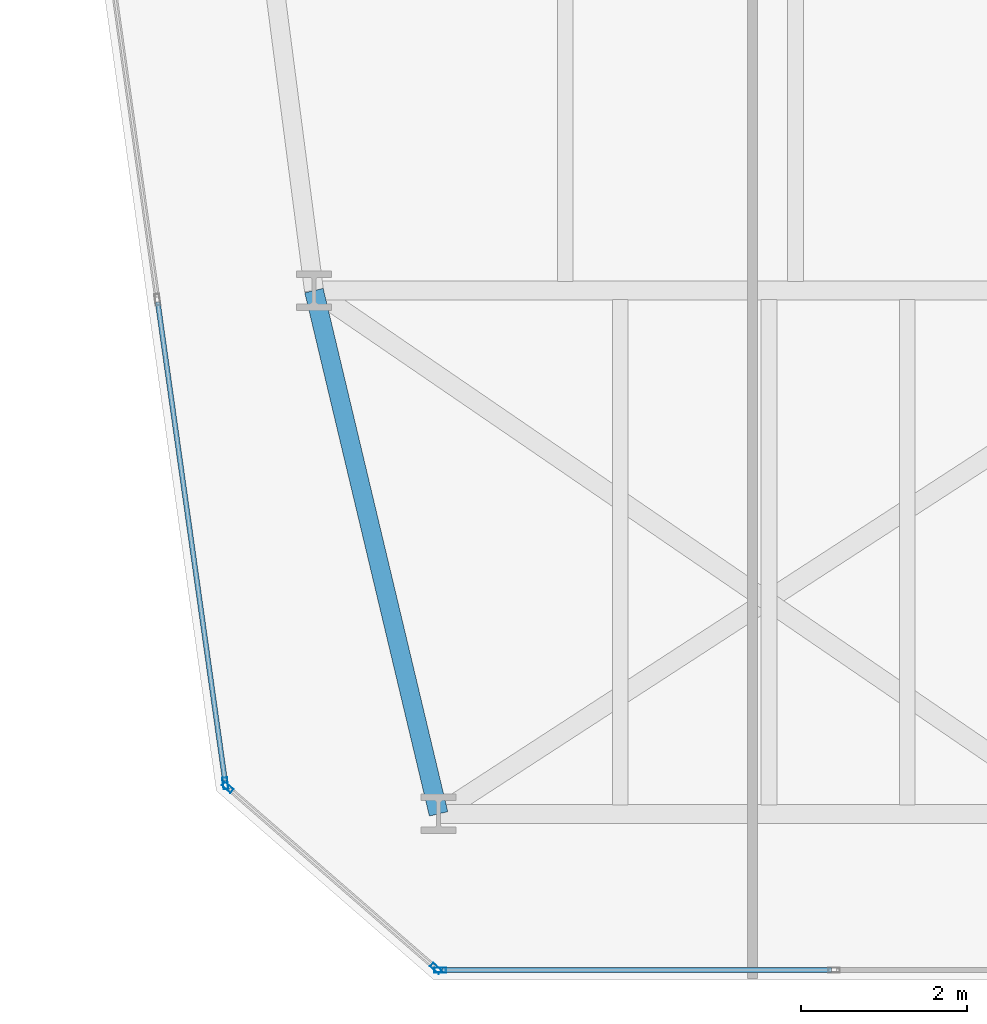
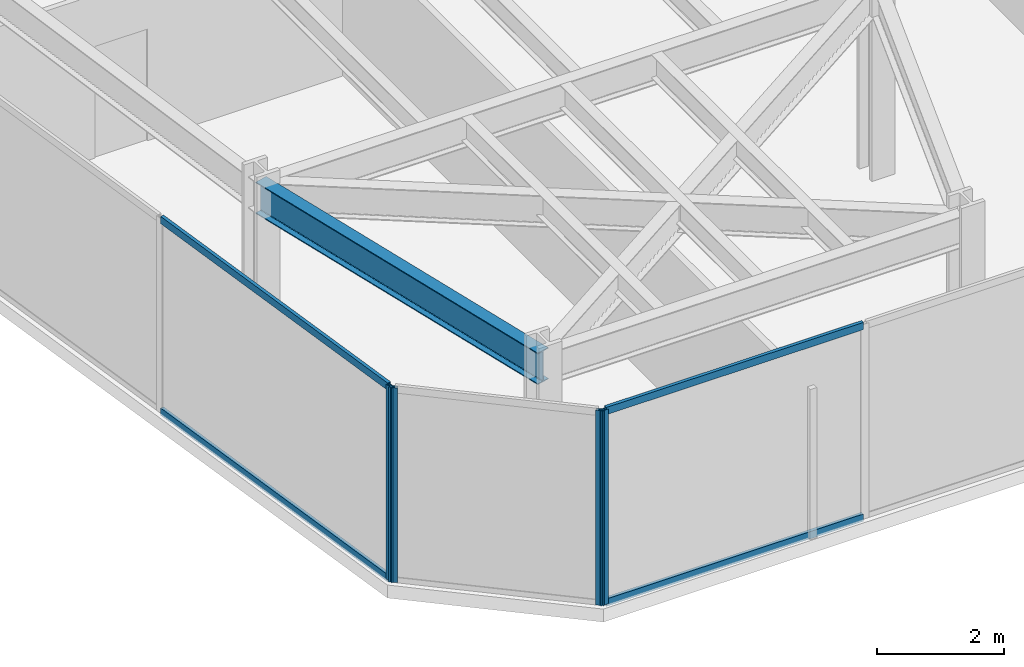
# One storey, part 2 of 26: 8 members, 1 beam, 3 elements without a shape of their own.
"""IFC4 building model written with IfcOpenShell, lengths in metres."""

import ifcopenshell
import ifcopenshell.guid

model = None  # the IFC model being written
_history = None  # IfcOwnerHistory: only IFC2X3 demands one
_inside = {}  # id of a spatial element -> (the spatial element, [elements in it])
_under = {}  # id of a project, library or spatial element -> (it, [spatial elements below it])
_declared = {}  # id of a project -> (the project, [libraries it declares])
_typed = {}  # id of a type object -> (the type object, [elements of that type])
_made_of = {}  # id of a material, layer set ... -> (it, [elements and type objects made of it])


def new_model(schema):
    """Start an empty IFC model of exactly this schema.

    Asked for "IFC4X3", IfcOpenShell would pick the latest addendum, in which some entities
    have other attributes; the version numbers below select the first issue.
    IFC2X3 requires an IfcOwnerHistory on every rooted entity: one is made here for all.
    """
    global model, _history
    if schema == "IFC4X3":
        model = ifcopenshell.file(schema_version=(4, 3, 0, 0))
    else:
        model = ifcopenshell.file(schema=schema)
    _inside.clear()
    _under.clear()
    _declared.clear()
    _typed.clear()
    _made_of.clear()
    _history = None
    if model.schema == "IFC2X3":
        org = make("IfcOrganization", Name="unknown")
        user = make(
            "IfcPersonAndOrganization",
            ThePerson=make("IfcPerson", FamilyName="unknown"),
            TheOrganization=org,
        )
        app = make(
            "IfcApplication",
            ApplicationDeveloper=org,
            Version="unknown",
            ApplicationFullName="unknown",
            ApplicationIdentifier="unknown",
        )
        _history = make(
            "IfcOwnerHistory",
            OwningUser=user,
            OwningApplication=app,
            ChangeAction="ADDED",
            CreationDate=0,
        )
    return model


def make(cls, **values):
    """One entity of the class cls with the attributes given. An attribute that is None is left unset."""
    return model.create_entity(
        cls, **{name: value for name, value in values.items() if value is not None}
    )


def rooted(cls, **values):
    """An entity with a GlobalId (a new one), such as an element, a storey or a relation."""
    return make(cls, GlobalId=ifcopenshell.guid.new(), OwnerHistory=_history, **values)


def si_unit(unit_type, name, prefix=None):
    """IfcSIUnit, for example si_unit("LENGTHUNIT", "METRE", prefix="MILLI")."""
    return make("IfcSIUnit", UnitType=unit_type, Prefix=prefix, Name=name)


def assignment(units):
    """IfcUnitAssignment: the units of a project."""
    return None if units is None else make("IfcUnitAssignment", Units=units)


def point(xyz):
    """IfcCartesianPoint."""
    return None if xyz is None else make("IfcCartesianPoint", Coordinates=xyz)


def direction(xyz):
    """IfcDirection."""
    return None if xyz is None else make("IfcDirection", DirectionRatios=xyz)


def frame(location, z_axis=None, x_axis=None):
    """IfcAxis2Placement3D, a coordinate frame: its origin and axes. An axis left out is left unset."""
    return make(
        "IfcAxis2Placement3D",
        Location=point(location),
        Axis=direction(z_axis),
        RefDirection=direction(x_axis),
    )


def frame_2d(location, x_axis=None):
    """IfcAxis2Placement2D, a coordinate frame in the plane: its origin and x axis."""
    return make(
        "IfcAxis2Placement2D", Location=point(location), RefDirection=direction(x_axis)
    )


def origin():
    """The frame at (0, 0, 0) with its axes left unset."""
    return frame((0.0, 0.0, 0.0))


def origin_2d():
    """The frame at (0, 0) in the plane with its x axis left unset."""
    return frame_2d((0.0, 0.0))


def place(relative_to, where):
    """IfcLocalPlacement: puts the frame where relative to a parent placement (None: the world)."""
    return make(
        "IfcLocalPlacement", PlacementRelTo=relative_to, RelativePlacement=where
    )


def context(
    kind, dimensions, precision=None, world=None, true_north=None, identifier=None
):
    """IfcGeometricRepresentationContext, for example the 3D "Model" context."""
    return make(
        "IfcGeometricRepresentationContext",
        ContextIdentifier=identifier,
        ContextType=kind,
        CoordinateSpaceDimension=dimensions,
        Precision=precision,
        WorldCoordinateSystem=world,
        TrueNorth=true_north,
    )


def subcontext(parent, identifier, kind, view, scale=None):
    """IfcGeometricRepresentationSubContext, for example "Body" below "Model"."""
    return make(
        "IfcGeometricRepresentationSubContext",
        ContextIdentifier=identifier,
        ContextType=kind,
        ParentContext=parent,
        TargetScale=scale,
        TargetView=view,
    )


def project(units=None, contexts=None):
    """IfcProject with its units and contexts."""
    return rooted(
        "IfcProject",
        Name="project",
        RepresentationContexts=contexts,
        UnitsInContext=assignment(units),
    )


def spatial(cls, under=None, at=None, **own):
    """A site, building, storey or space (cls), placed at a placement, below another one or the project."""
    s = rooted(cls, ObjectPlacement=at, **own)
    if under is not None:
        _under.setdefault(under.id(), (under, []))[1].append(s)
    return s


def profile(cls, at=None, kind="AREA", **sizes):
    """A parametric profile (cls). Its sizes go by their IFC names, for example OverallWidth=200.0."""
    return make(cls, ProfileType=kind, Position=at, **sizes)


def hollow_rectangle(**sizes):
    """IfcRectangleHollowProfileDef."""
    return profile("IfcRectangleHollowProfileDef", **sizes)


def i_section(**sizes):
    """IfcIShapeProfileDef."""
    return profile("IfcIShapeProfileDef", **sizes)


def extrude(swept, where, along, depth):
    """IfcExtrudedAreaSolid: the profile swept, set in the frame where, extruded along a direction by depth."""
    return make(
        "IfcExtrudedAreaSolid",
        SweptArea=swept,
        Position=where,
        ExtrudedDirection=direction(along),
        Depth=depth,
    )


def shape(context_of_items, identifier, shape_type, items):
    """IfcShapeRepresentation: the items that make up one representation, for example the "Body"."""
    return make(
        "IfcShapeRepresentation",
        ContextOfItems=context_of_items,
        RepresentationIdentifier=identifier,
        RepresentationType=shape_type,
        Items=items,
    )


def material(Name=None, Category=None):
    """IfcMaterial."""
    return make("IfcMaterial", Name=Name, Category=Category)


def layer(
    of_material, thickness, ventilated=None, Name=None, Category=None, Priority=None
):
    """IfcMaterialLayer: one layer of a wall or slab, of a material (None: an air gap)."""
    return make(
        "IfcMaterialLayer",
        Material=of_material,
        LayerThickness=thickness,
        IsVentilated=ventilated,
        Name=Name,
        Category=Category,
        Priority=Priority,
    )


def layer_set(layers, Name=None):
    """IfcMaterialLayerSet."""
    return make("IfcMaterialLayerSet", MaterialLayers=layers, LayerSetName=Name)


def material_profile(
    of_material, cross_section, Name=None, Category=None, Priority=None
):
    """IfcMaterialProfile: a cross section and its material."""
    return make(
        "IfcMaterialProfile",
        Name=Name,
        Material=of_material,
        Profile=cross_section,
        Priority=Priority,
        Category=Category,
    )


def profile_set(profiles, Name=None, composite=None):
    """IfcMaterialProfileSet."""
    return make(
        "IfcMaterialProfileSet",
        Name=Name,
        MaterialProfiles=profiles,
        CompositeProfile=composite,
    )


def made_of(thing, what):
    """Note that an element or type object is made of a material, layer set ...; save() writes the relation."""
    if what is not None:
        _made_of.setdefault(what.id(), (what, []))[1].append(thing)
    return thing


def type_object(cls, material=None, **own):
    """A type object (cls), such as IfcWallType, which elements share."""
    return made_of(rooted(cls, **own), material)


def element(
    cls,
    number,
    at=None,
    inside=None,
    cuts=None,
    type_object=None,
    material=None,
    context=None,
    identifier="Body",
    shape_type=None,
    held_by="IfcProductDefinitionShape",
    body=None,
    shapes=None,
    **own,
):
    """One element of the class cls, such as IfcWall. Its Tag is "e" and its number.

    at: its placement. inside: the storey or other place that contains it. cuts: it is an
    opening in that element (IfcRelVoidsElement). A single representation is given by context,
    identifier, shape_type and body (its items); several are given by shapes. held_by: the class
    of the entity that holds the representations. save() writes the other relations.
    """
    e = rooted(cls, Tag="e%d" % number, ObjectPlacement=at, **own)
    if body is not None:
        shapes = [shape(context, identifier, shape_type, body)]
    if shapes is not None:
        e.Representation = make(held_by, Representations=shapes)
    if inside is not None:
        _inside.setdefault(inside.id(), (inside, []))[1].append(e)
    if cuts is not None:
        rooted(
            "IfcRelVoidsElement", RelatingBuildingElement=cuts, RelatedOpeningElement=e
        )
    if type_object is not None:
        _typed.setdefault(type_object.id(), (type_object, []))[1].append(e)
    return made_of(e, material)


def aggregate(whole, parts):
    """IfcRelAggregates: a whole, such as a stair, and the parts it consists of."""
    return rooted("IfcRelAggregates", RelatingObject=whole, RelatedObjects=parts)


def save(model, path):
    """Write the relations noted so far, then the file.

    IfcRelAggregates (storeys below a building ...), IfcRelContainedInSpatialStructure (elements
    in a storey), IfcRelDefinesByType, IfcRelAssociatesMaterial and IfcRelDeclares: one each for
    every whole, place, type object, material and project.
    """
    for whole, parts in _under.values():
        aggregate(whole, parts)
    for where, things in _inside.values():
        rooted(
            "IfcRelContainedInSpatialStructure",
            RelatedElements=things,
            RelatingStructure=where,
        )
    for kind, things in _typed.values():
        rooted("IfcRelDefinesByType", RelatedObjects=things, RelatingType=kind)
    for what, things in _made_of.values():
        rooted("IfcRelAssociatesMaterial", RelatedObjects=things, RelatingMaterial=what)
    for by, libraries in _declared.values():
        rooted("IfcRelDeclares", RelatingContext=by, RelatedDefinitions=libraries)
    model.write(path)


model = new_model("IFC4")

# Units and contexts
model_context = context("Model", 3, precision=1e-05, world=origin(), true_north=direction((0.0, 1.0)))
body_context = subcontext(model_context, "Body", "Model", "MODEL_VIEW")
ifc_project = project(units=[si_unit("LENGTHUNIT", "METRE"), si_unit("AREAUNIT", "SQUARE_METRE"), si_unit("VOLUMEUNIT", "CUBIC_METRE"), si_unit("PLANEANGLEUNIT", "RADIAN"), si_unit("MASSUNIT", "GRAM", prefix="KILO")], contexts=[model_context])

# Site, building, storey
site_placement = place(None, origin())
site = spatial("IfcSite", under=ifc_project, at=site_placement, CompositionType="ELEMENT")
building_placement = place(site_placement, origin())
building = spatial("IfcBuilding", under=site, at=building_placement, Name="Kravanh Interchange Tower", CompositionType="ELEMENT")
storey_placement = place(building_placement, frame((0.0, 0.0, 100.0)))
storey = spatial("IfcBuildingStorey", under=building, at=storey_placement, Name="L23", CompositionType="ELEMENT", Elevation=100.0)

# Curtain wall, member
ifc_material_1 = material(Name="Anodised Bronze Aluminium", Category="aluminium")
ifc_layer = layer(ifc_material_1, 0.179931640625)
ifc_layer_set = layer_set([ifc_layer], Name="Unitised Curtain Wall System CW-Z2 Mid Office")
curtain_wall_type = type_object("IfcCurtainWallType", Name="Unitised Curtain Wall System CW-Z2 Mid Office", PredefinedType="NOTDEFINED", material=ifc_layer_set)
curtain_wall_1_placement = place(storey_placement, origin())
curtain_wall_1 = element("IfcCurtainWall", 1, at=curtain_wall_1_placement, inside=storey, type_object=curtain_wall_type, Name="L23 Unitised Curtain Wall CW-L23-01", PredefinedType="NOTDEFINED")
ifc_material_2 = material(Name="Anodised Bronze Aluminium", Category="aluminium")
ifc_material_profile_1 = material_profile(ifc_material_2, hollow_rectangle(XDim=0.06005859375, YDim=0.139892578125, WallThickness=0.00390625, at=origin_2d()), Name="ALU60X140X4")
ifc_profile_set_1 = profile_set([ifc_material_profile_1], Name="Anodised Bronze Aluminium")
member_type_1 = type_object("IfcMemberType", Name="Curtain Wall Mullion ALU60X140X4 Bronze", PredefinedType="MULLION", material=ifc_profile_set_1)
member_1_placement = place(storey_placement, frame((14.93310546875, 8.568359375, 0.0), z_axis=(0.0, 0.0, 1.0), x_axis=(-0.990268103846, -0.13917285118, 0.0)))
member_1 = element("IfcMember", 2, at=member_1_placement, type_object=member_type_1, Name="CW-Z2 mullion 1", PredefinedType="MULLION", context=body_context, shape_type="SweptSolid", body=[
    extrude(hollow_rectangle(XDim=0.06005859375, YDim=0.139892578125, WallThickness=0.00390625, at=origin_2d()), origin(), (0.0, 0.0, 1.0), 3.75),
])

curtain_wall_2_placement = place(storey_placement, origin())
curtain_wall_2 = element("IfcCurtainWall", 3, at=curtain_wall_2_placement, inside=storey, type_object=curtain_wall_type, Name="L23 Unitised Curtain Wall CW-L23-06", PredefinedType="NOTDEFINED")
member_2_placement = place(storey_placement, frame((17.519775390625, 6.320068359375, 0.0), z_axis=(0.0, 0.0, 1.0), x_axis=(0.0, -1.0, 0.0)))
member_2 = element("IfcMember", 4, at=member_2_placement, type_object=member_type_1, Name="CW-Z2 mullion 3", PredefinedType="MULLION", context=body_context, shape_type="SweptSolid", body=[
    extrude(hollow_rectangle(XDim=0.06005859375, YDim=0.139892578125, WallThickness=0.00390625, at=origin_2d()), origin(), (0.0, 0.0, 1.0), 3.75),
])

# Curtain wall, members
curtain_wall_3_placement = place(storey_placement, origin())
curtain_wall_3 = element("IfcCurtainWall", 5, at=curtain_wall_3_placement, inside=storey, type_object=curtain_wall_type, Name="L23 Unitised Curtain Wall CW-L23-07", PredefinedType="NOTDEFINED")
member_3_placement = place(storey_placement, frame((17.467041015625, 6.339599609375, 0.0), z_axis=(0.0, 0.0, 1.0), x_axis=(-0.656047665617, -0.754719458103, 0.0)))
member_3 = element("IfcMember", 6, at=member_3_placement, type_object=member_type_1, Name="CW-Z2 mullion 1", PredefinedType="MULLION", context=body_context, shape_type="SweptSolid", body=[
    extrude(hollow_rectangle(XDim=0.06005859375, YDim=0.139892578125, WallThickness=0.00390625, at=origin_2d()), origin(), (0.0, 0.0, 1.0), 3.75),
])
member_4_placement = place(storey_placement, frame((14.9599609375, 8.51904296875, 0.0), z_axis=(0.0, 0.0, 1.0), x_axis=(-0.656047665617, -0.754719458103, 0.0)))
member_4 = element("IfcMember", 7, at=member_4_placement, type_object=member_type_1, Name="CW-Z2 mullion 2", PredefinedType="MULLION", context=body_context, shape_type="SweptSolid", body=[
    extrude(hollow_rectangle(XDim=0.06005859375, YDim=0.139892578125, WallThickness=0.00390625, at=origin_2d()), origin(), (0.0, 0.0, 1.0), 3.75),
])
aggregate(curtain_wall_3, [member_3, member_4])

# Member
ifc_material_3 = material(Name="Anodised Bronze Aluminium", Category="aluminium")
ifc_material_profile_2 = material_profile(ifc_material_3, hollow_rectangle(XDim=0.06005859375, YDim=0.139892578125, WallThickness=0.00390625, at=origin_2d()), Name="ALU60X140X4")
ifc_profile_set_2 = profile_set([ifc_material_profile_2], Name="Anodised Bronze Aluminium")
member_type_2 = type_object("IfcMemberType", Name="Curtain Wall Transom ALU60X140X4 Bronze", PredefinedType="USERDEFINED", material=ifc_profile_set_2)
member_5_placement = place(storey_placement, frame((14.928955078125, 8.59814453125, 0.030029296875), z_axis=(-0.139148132783, 0.990271577469, 0.0), x_axis=(-0.990271577469, -0.139148132783, 0.0)))
member_5 = element("IfcMember", 8, at=member_5_placement, type_object=member_type_2, Name="CW-Z2 transom 1.1", ObjectType="TRANSOM", PredefinedType="USERDEFINED", context=body_context, shape_type="SweptSolid", body=[
    extrude(hollow_rectangle(XDim=0.06005859375, YDim=0.139892578125, WallThickness=0.00390625, at=origin_2d()), origin(), (0.0, 0.0, 1.0), 5.81982421875),
])

member_6_placement = place(storey_placement, frame((14.928955078125, 8.59814453125, 3.719970703125), z_axis=(-0.139148132783, 0.990271577469, 0.0), x_axis=(-0.990271577469, -0.139148132783, 0.0)))
member_6 = element("IfcMember", 9, at=member_6_placement, type_object=member_type_2, Name="CW-Z2 transom 1.2", ObjectType="TRANSOM", PredefinedType="USERDEFINED", context=body_context, shape_type="SweptSolid", body=[
    extrude(hollow_rectangle(XDim=0.06005859375, YDim=0.139892578125, WallThickness=0.00390625, at=origin_2d()), origin(), (0.0, 0.0, 1.0), 5.81982421875),
])

aggregate(curtain_wall_1, [member_1, member_5, member_6])

member_7_placement = place(storey_placement, frame((22.232177734375, 6.320068359375, 0.030029296875), z_axis=(-1.0, 0.0, 0.0), x_axis=(0.0, -1.0, 0.0)))
member_7 = element("IfcMember", 10, at=member_7_placement, type_object=member_type_2, Name="CW-Z2 transom 2.1", ObjectType="TRANSOM", PredefinedType="USERDEFINED", context=body_context, shape_type="SweptSolid", body=[
    extrude(hollow_rectangle(XDim=0.06005859375, YDim=0.139892578125, WallThickness=0.00390625, at=origin_2d()), origin(), (0.0, 0.0, 1.0), 4.682373046875),
])

member_8_placement = place(storey_placement, frame((22.232177734375, 6.320068359375, 3.719970703125), z_axis=(-1.0, 0.0, 0.0), x_axis=(0.0, -1.0, 0.0)))
member_8 = element("IfcMember", 11, at=member_8_placement, type_object=member_type_2, Name="CW-Z2 transom 2.2", ObjectType="TRANSOM", PredefinedType="USERDEFINED", context=body_context, shape_type="SweptSolid", body=[
    extrude(hollow_rectangle(XDim=0.06005859375, YDim=0.139892578125, WallThickness=0.00390625, at=origin_2d()), origin(), (0.0, 0.0, 1.0), 4.682373046875),
])

aggregate(curtain_wall_2, [member_2, member_7, member_8])

# Beam
ifc_material_4 = material(Name="Structural Steel S355", Category="steel")
ifc_material_profile_3 = material_profile(ifc_material_4, i_section(OverallWidth=0.22802734375, OverallDepth=0.60791015625, WebThickness=0.01123046875, FlangeThickness=0.017333984375, FilletRadius=0.02197265625, at=origin_2d()), Name="W24X76")
ifc_profile_set_3 = profile_set([ifc_material_profile_3], Name="Structural Steel S355")
beam_type = type_object("IfcBeamType", Name="Floor Spandrel W24X76 Structural Steel S355", PredefinedType="SPANDREL", material=ifc_profile_set_3)
beam_placement = place(storey_placement, frame((17.5, 8.199951171875, 3.446044921875), z_axis=(-0.231618828452, 0.972806619173, 0.0), x_axis=(-0.972806619173, -0.231618828452, 0.0)))
element("IfcBeam", 12, at=beam_placement, inside=storey, type_object=beam_type, Name="L23 Perimeter Spandrel 34", PredefinedType="SPANDREL", context=body_context, shape_type="SweptSolid", body=[
    extrude(i_section(OverallWidth=0.22802734375, OverallDepth=0.60791015625, WebThickness=0.01123046875, FlangeThickness=0.017333984375, FilletRadius=0.02197265625, at=origin_2d()), origin(), (0.0, 0.0, 1.0), 6.47607421875),
])

save(model, "model.ifc")
